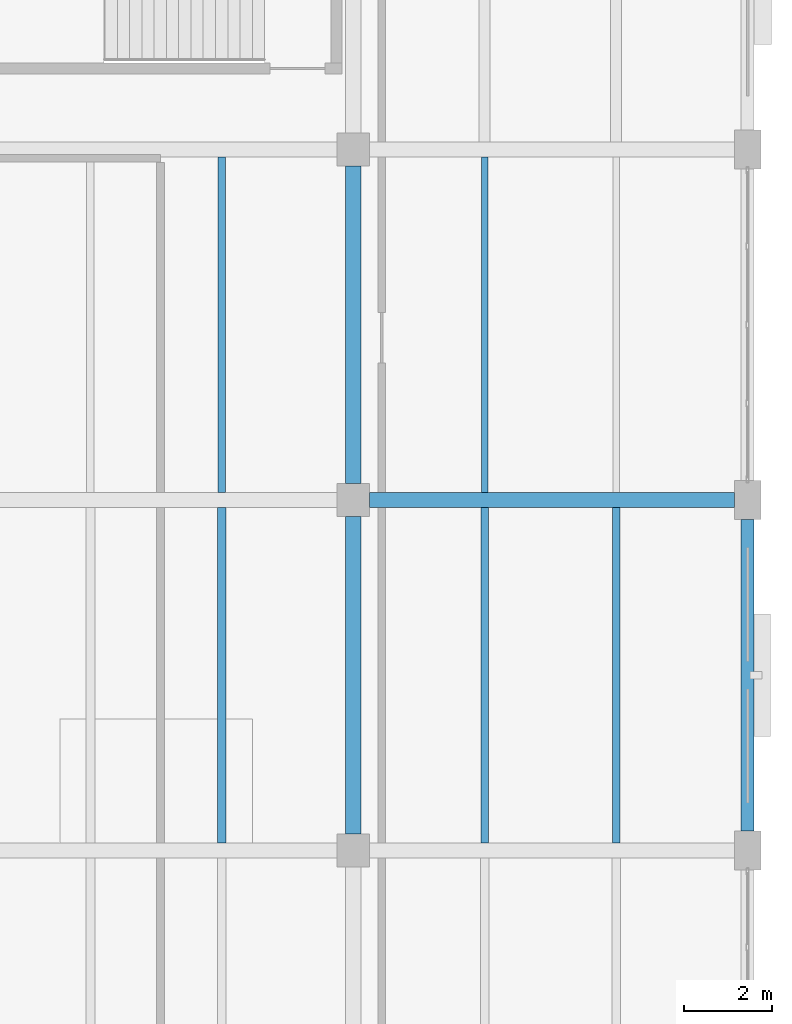
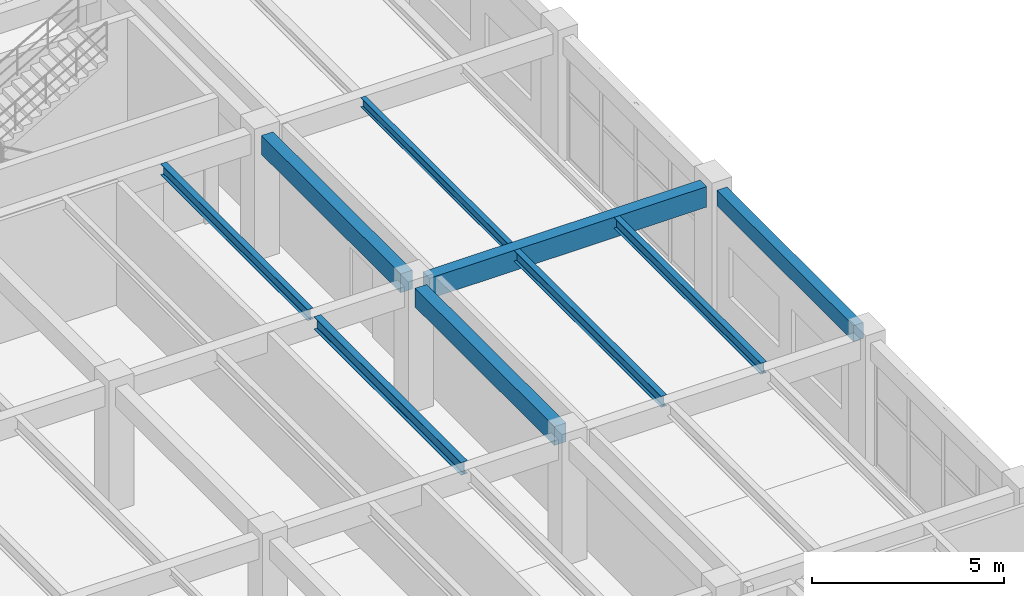
# One storey, part 90 of 128: 9 beams.
"""IFC4 building model written with IfcOpenShell, lengths in metres."""

from ifc_helpers import new_model, si_unit, derived_unit, direction, frame, origin, origin_2d, place, context, subcontext, project, spatial, rectangle, i_section, extrude, material, material_profile, profile_set, type_object, element, save


model = new_model("IFC4")

# Units and contexts
model_context = context("Model", 3, precision=1e-05, world=origin(), true_north=direction((0.0, 1.0)))
body_context = subcontext(model_context, "Body", "Model", "MODEL_VIEW")
ifc_project = project(units=[si_unit("LENGTHUNIT", "METRE"), si_unit("AREAUNIT", "SQUARE_METRE"), si_unit("VOLUMEUNIT", "CUBIC_METRE"), si_unit("PLANEANGLEUNIT", "RADIAN"), si_unit("MASSUNIT", "GRAM", prefix="KILO"), derived_unit("THERMALTRANSMITTANCEUNIT", [(si_unit("MASSUNIT", "GRAM", prefix="KILO"), 1), (si_unit("TIMEUNIT", "SECOND"), -3), (si_unit("THERMODYNAMICTEMPERATUREUNIT", "KELVIN"), -1)])], contexts=[model_context])

# Site, building, storey
site_placement = place(None, origin())
site = spatial("IfcSite", under=ifc_project, at=site_placement, CompositionType="ELEMENT")
building_placement = place(site_placement, origin())
building = spatial("IfcBuilding", under=site, at=building_placement, Name="Zhenchuan Archway Interchange", CompositionType="ELEMENT")
storey_placement = place(building_placement, frame((0.0, 0.0, 14.39990234375)))
storey = spatial("IfcBuildingStorey", under=building, at=storey_placement, Name="L03", CompositionType="ELEMENT", Elevation=14.39990234375)

# Beams
ifc_material_1 = material(Name="Concrete C40", Category="concrete")
ifc_material_profile_1 = material_profile(ifc_material_1, rectangle(XDim=0.35009765625, YDim=0.60009765625, at=origin_2d()), Name="RC 350x600")
ifc_profile_set_1 = profile_set([ifc_material_profile_1], Name="Concrete C40")
beam_type_1 = type_object("IfcBeamType", Name="BM_RC_350x600", PredefinedType="BEAM", material=ifc_profile_set_1)
for number, where, z_axis, x_axis, name in (
    (1, (162.0, 72.375, 3.630126953125), (0.0, 1.0, 0.0), (-1.0, 0.0, 0.0), "Beam 19:K-L (L03)"),
    (2, (162.0, 80.375, 3.630126953125), (0.0, 1.0, 0.0), (-1.0, 0.0, 0.0), "Beam 19:L-M (L03)"),
):
    element("IfcBeam", number, at=place(storey_placement, frame(where, z_axis=z_axis, x_axis=x_axis)), inside=storey, type_object=beam_type_1, Name=name, PredefinedType="BEAM", context=body_context, shape_type="SweptSolid", body=[
        extrude(rectangle(XDim=0.35009765625, YDim=0.60009765625, at=origin_2d()), origin(), (0.0, 0.0, 1.0), 7.25),
    ])
ifc_material_profile_2 = material_profile(ifc_material_1, rectangle(XDim=0.35009765625, YDim=0.64990234375, at=origin_2d()), Name="RC 350x650")
ifc_profile_set_2 = profile_set([ifc_material_profile_2], Name="Concrete C40")
beam_type_2 = type_object("IfcBeamType", Name="BM_RC_350x650", PredefinedType="BEAM", material=ifc_profile_set_2)
beam_1_placement = place(storey_placement, frame((162.375, 80.0, 3.60498046875), z_axis=(1.0, 0.0, 0.0), x_axis=(0.0, 1.0, 0.0)))
element("IfcBeam", 3, at=beam_1_placement, inside=storey, type_object=beam_type_2, Name="Beam L:19-20 (L03)", PredefinedType="BEAM", context=body_context, shape_type="SweptSolid", body=[
    extrude(rectangle(XDim=0.35009765625, YDim=0.64990234375, at=origin_2d()), origin(), (0.0, 0.0, 1.0), 8.324951171875),
])
ifc_material_2 = material(Name="Steel Q355", Category="steel")
ifc_material_profile_3 = material_profile(ifc_material_2, i_section(OverallWidth=0.14990234375, OverallDepth=0.300048828125, WebThickness=0.006591796875, FlangeThickness=0.009033203125, FilletRadius=0.012939453125, at=origin_2d()), Name="HN 300x150")
ifc_profile_set_3 = profile_set([ifc_material_profile_3], Name="Steel Q355")
beam_type_3 = type_object("IfcBeamType", Name="JST_STL_HN300", PredefinedType="JOIST", material=ifc_profile_set_3)
beam_2_placement = place(storey_placement, frame((165.0, 80.175048828125, 3.780029296875), z_axis=(0.0, 1.0, 0.0), x_axis=(-1.0, 0.0, 0.0)))
element("IfcBeam", 4, at=beam_2_placement, inside=storey, type_object=beam_type_3, Name="Secondary joist 19-20/L-M #1 (L03)", PredefinedType="JOIST", context=body_context, shape_type="SweptSolid", body=[
    extrude(i_section(OverallWidth=0.14990234375, OverallDepth=0.300048828125, WebThickness=0.006591796875, FlangeThickness=0.009033203125, FilletRadius=0.012939453125, at=origin_2d()), origin(), (0.0, 0.0, 1.0), 7.64990234375),
])
ifc_material_profile_4 = material_profile(ifc_material_2, i_section(OverallWidth=0.175048828125, OverallDepth=0.35009765625, WebThickness=0.007080078125, FlangeThickness=0.010986328125, FilletRadius=0.013916015625, at=origin_2d()), Name="HN 350x175")
ifc_profile_set_4 = profile_set([ifc_material_profile_4], Name="Steel Q355")
beam_type_4 = type_object("IfcBeamType", Name="JST_STL_HN350", PredefinedType="JOIST", material=ifc_profile_set_4)
for number, where, z_axis, x_axis, name in (
    (5, (159.0, 80.175048828125, 3.755126953125), (0.0, 1.0, 0.0), (-1.0, 0.0, 0.0), "Secondary joist 18-19/L-M #2 (L03)"),
    (6, (165.0, 72.175048828125, 3.755126953125), (0.0, 1.0, 0.0), (-1.0, 0.0, 0.0), "Secondary joist 19-20/K-L #1 (L03)"),
    (7, (168.0, 72.175048828125, 3.755126953125), (0.0, 1.0, 0.0), (-1.0, 0.0, 0.0), "Secondary joist 19-20/K-L #2 (L03)"),
):
    element("IfcBeam", number, at=place(storey_placement, frame(where, z_axis=z_axis, x_axis=x_axis)), inside=storey, type_object=beam_type_4, Name=name, PredefinedType="JOIST", context=body_context, shape_type="SweptSolid", body=[
        extrude(i_section(OverallWidth=0.175048828125, OverallDepth=0.35009765625, WebThickness=0.007080078125, FlangeThickness=0.010986328125, FilletRadius=0.013916015625, at=origin_2d()), origin(), (0.0, 0.0, 1.0), 7.64990234375),
    ])
ifc_material_profile_5 = material_profile(ifc_material_2, i_section(OverallWidth=0.199951171875, OverallDepth=0.39990234375, WebThickness=0.008056640625, FlangeThickness=0.012939453125, FilletRadius=0.01611328125, at=origin_2d()), Name="HN 400x200")
ifc_profile_set_5 = profile_set([ifc_material_profile_5], Name="Steel Q355")
beam_type_5 = type_object("IfcBeamType", Name="JST_STL_HN400", PredefinedType="JOIST", material=ifc_profile_set_5)
beam_3_placement = place(storey_placement, frame((159.0, 72.175048828125, 3.72998046875), z_axis=(0.0, 1.0, 0.0), x_axis=(-1.0, 0.0, 0.0)))
element("IfcBeam", 8, at=beam_3_placement, inside=storey, type_object=beam_type_5, Name="Secondary joist 18-19/K-L #2 (L03)", PredefinedType="JOIST", context=body_context, shape_type="SweptSolid", body=[
    extrude(i_section(OverallWidth=0.199951171875, OverallDepth=0.39990234375, WebThickness=0.008056640625, FlangeThickness=0.012939453125, FilletRadius=0.01611328125, at=origin_2d()), origin(), (0.0, 0.0, 1.0), 7.64990234375),
])
ifc_material_profile_6 = material_profile(ifc_material_1, rectangle(XDim=0.300048828125, YDim=0.5, at=origin_2d()), Name="RC 300x500")
ifc_profile_set_6 = profile_set([ifc_material_profile_6], Name="Concrete C40")
beam_type_6 = type_object("IfcBeamType", Name="SP_RC_300x500", PredefinedType="SPANDREL", material=ifc_profile_set_6)
beam_4_placement = place(storey_placement, frame((171.0, 72.449951171875, 3.68017578125), z_axis=(0.0, 1.0, 0.0), x_axis=(-1.0, 0.0, 0.0)))
element("IfcBeam", 9, at=beam_4_placement, inside=storey, type_object=beam_type_6, Name="Beam 20:K-L (L03)", PredefinedType="SPANDREL", context=body_context, shape_type="SweptSolid", body=[
    extrude(rectangle(XDim=0.300048828125, YDim=0.5, at=origin_2d()), origin(), (0.0, 0.0, 1.0), 7.10009765625),
])

save(model, "model.ifc")
